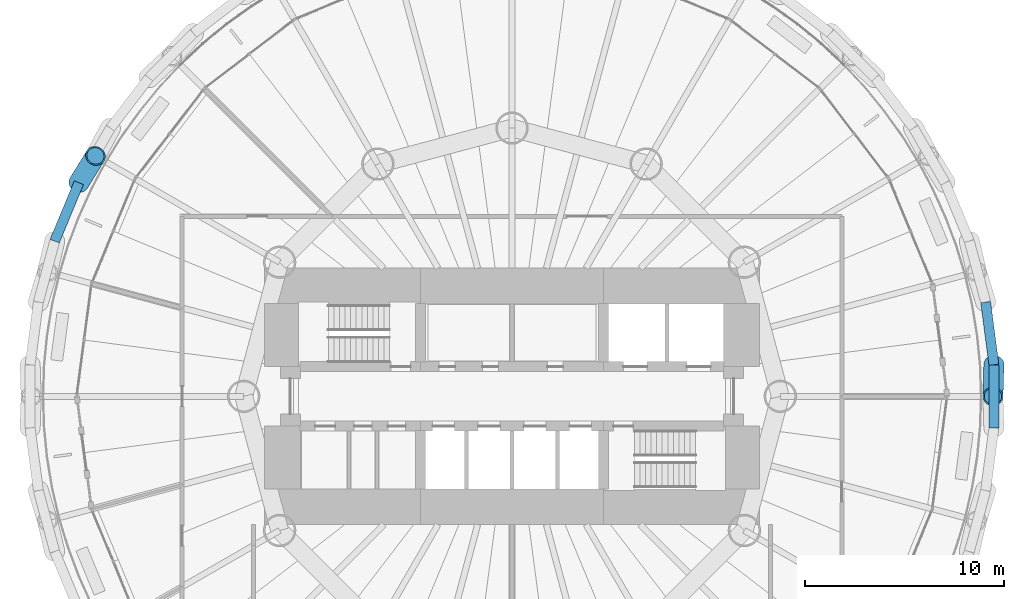
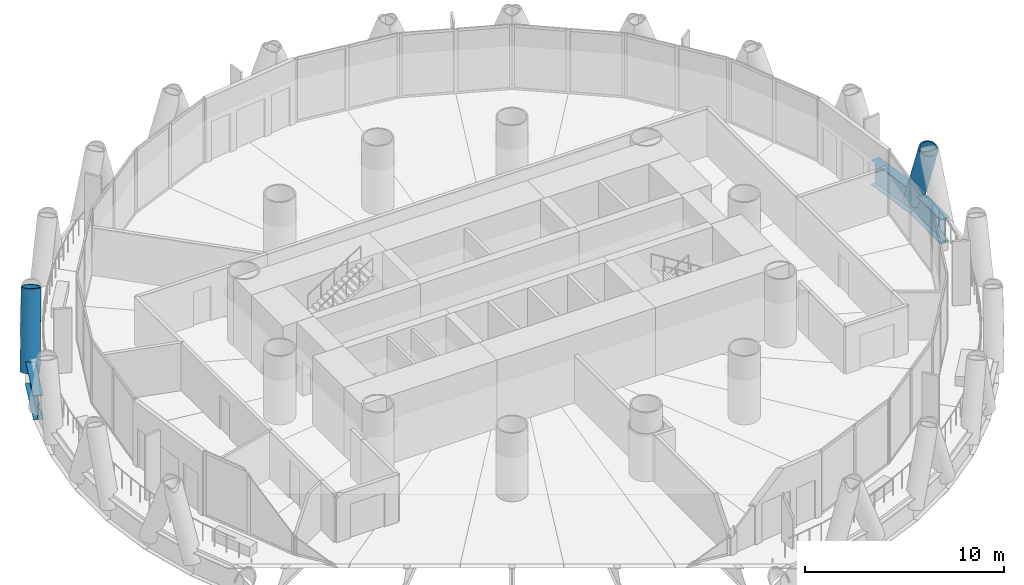
# One storey, part 5 of 15: 3 beams, 2 members.
"""IFC4 building model written with IfcOpenShell, lengths in metres."""

from ifc_helpers import new_model, si_unit, direction, frame, origin, origin_2d, place, context, subcontext, project, spatial, hollow_circle, i_section, extrude, material, material_profile, profile_set, type_object, element, save


model = new_model("IFC4")

# Units and contexts
model_context = context("Model", 3, precision=1e-05, world=origin(), true_north=direction((0.0, 1.0)))
body_context = subcontext(model_context, "Body", "Model", "MODEL_VIEW")
ifc_project = project(units=[si_unit("LENGTHUNIT", "METRE"), si_unit("AREAUNIT", "SQUARE_METRE"), si_unit("VOLUMEUNIT", "CUBIC_METRE"), si_unit("PLANEANGLEUNIT", "RADIAN"), si_unit("MASSUNIT", "GRAM", prefix="KILO")], contexts=[model_context])

# Site, building, storey
site_placement = place(None, origin())
site = spatial("IfcSite", under=ifc_project, at=site_placement, CompositionType="ELEMENT")
building_placement = place(site_placement, origin())
building = spatial("IfcBuilding", under=site, at=building_placement, Name="Qaws Media Tower", CompositionType="ELEMENT")
storey_placement = place(building_placement, frame((0.0, 0.0, 189.800048828125)))
storey = spatial("IfcBuildingStorey", under=building, at=storey_placement, Name="L43", CompositionType="ELEMENT", Elevation=189.800048828125)

# Members
ifc_material_1 = material(Name="Steel S460", Category="steel")
ifc_material_profile_1 = material_profile(ifc_material_1, hollow_circle(Radius=0.508056640625, WallThickness=0.070068359375, at=origin_2d()), Name="CHS 1016x70")
ifc_profile_set_1 = profile_set([ifc_material_profile_1], Name="Steel S460")
member_type = type_object("IfcMemberType", Name="Diagrid member CHS 1016x70", PredefinedType="USERDEFINED", material=ifc_profile_set_1)
for number, where, z_axis, x_axis, name in (
    (1, (84.248046875, 51.58935546875, -0.91015625), (-0.010913564111, -0.360646204892, 0.932638841683), (0.999542446028, -0.030247290609, 0.0), "DG3 diagrid L43 B01"),
    (2, (38.2060546875, 60.74755859375, -0.91015625), (0.189739933408, 0.306907804695, 0.932634096035), (-0.850575840925, 0.52585239263, 0.0), "DG3 diagrid L43 B11"),
):
    element("IfcMember", number, at=place(storey_placement, frame(where, z_axis=z_axis, x_axis=x_axis)), inside=storey, type_object=member_type, Name=name, ObjectType="DIAGRID", PredefinedType="USERDEFINED", context=body_context, shape_type="SweptSolid", body=[
        extrude(hollow_circle(Radius=0.508056640625, WallThickness=0.070068359375, at=origin_2d()), origin(), (0.0, 0.0, 1.0), 4.406982421875),
    ])

# Beams
ifc_material_2 = material(Name="Steel S460", Category="steel")
ifc_material_profile_2 = material_profile(ifc_material_2, i_section(OverallWidth=0.5, OverallDepth=1.5, WebThickness=0.02001953125, FlangeThickness=0.0400390625, at=origin_2d()), Name="PG 1500x500")
ifc_profile_set_2 = profile_set([ifc_material_profile_2], Name="Steel S460")
beam_type = type_object("IfcBeamType", Name="Edge ring beam PG 1500x500", PredefinedType="BEAM", material=ifc_profile_set_2)
for number, where, z_axis, x_axis, name in (
    (3, (84.248046875, 51.58935546875, -0.91015625), (-0.130573723613, 0.991438602588, 0.0), (-0.991438602588, -0.130573723613, 0.0), "RB4 edge ring beam L43-01"),
    (4, (38.2060546875, 60.74755859375, -0.91015625), (-0.382738454719, -0.923856739586, 0.0), (0.923856739586, -0.382738454719, 0.0), "RB4 edge ring beam L43-21"),
):
    element("IfcBeam", number, at=place(storey_placement, frame(where, z_axis=z_axis, x_axis=x_axis)), inside=storey, type_object=beam_type, Name=name, PredefinedType="BEAM", context=body_context, shape_type="SweptSolid", body=[
        extrude(i_section(OverallWidth=0.5, OverallDepth=1.5, WebThickness=0.02001953125, FlangeThickness=0.0400390625, at=origin_2d()), origin(), (0.0, 0.0, 1.0), 3.178466796875),
    ])
beam_placement = place(storey_placement, frame((84.248046875, 48.41064453125, -0.91015625), z_axis=(0.0, 1.0, 0.0), x_axis=(-1.0, 0.0, 0.0)))
element("IfcBeam", 5, at=beam_placement, inside=storey, type_object=beam_type, Name="RB4 edge ring beam L43-48", PredefinedType="BEAM", context=body_context, shape_type="SweptSolid", body=[
    extrude(i_section(OverallWidth=0.5, OverallDepth=1.5, WebThickness=0.02001953125, FlangeThickness=0.0400390625, at=origin_2d()), origin(), (0.0, 0.0, 1.0), 3.1787109375),
])

save(model, "model.ifc")
